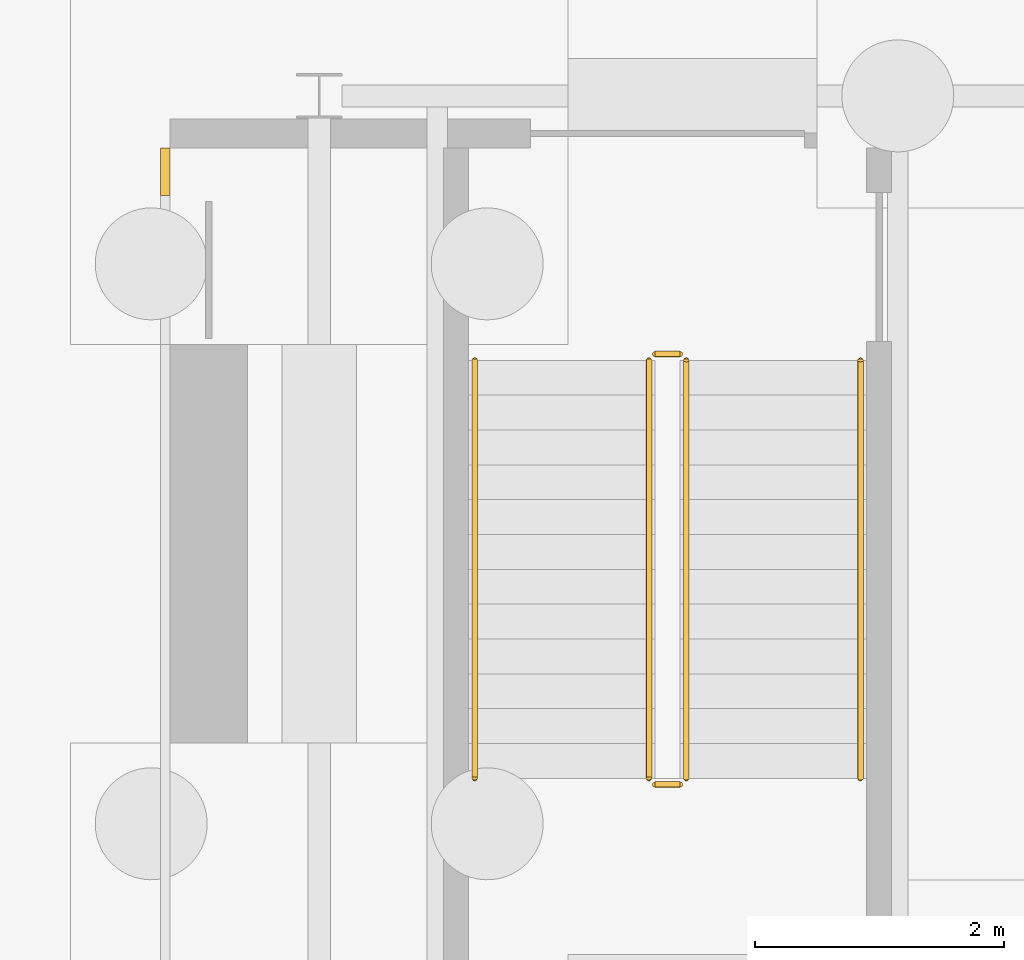
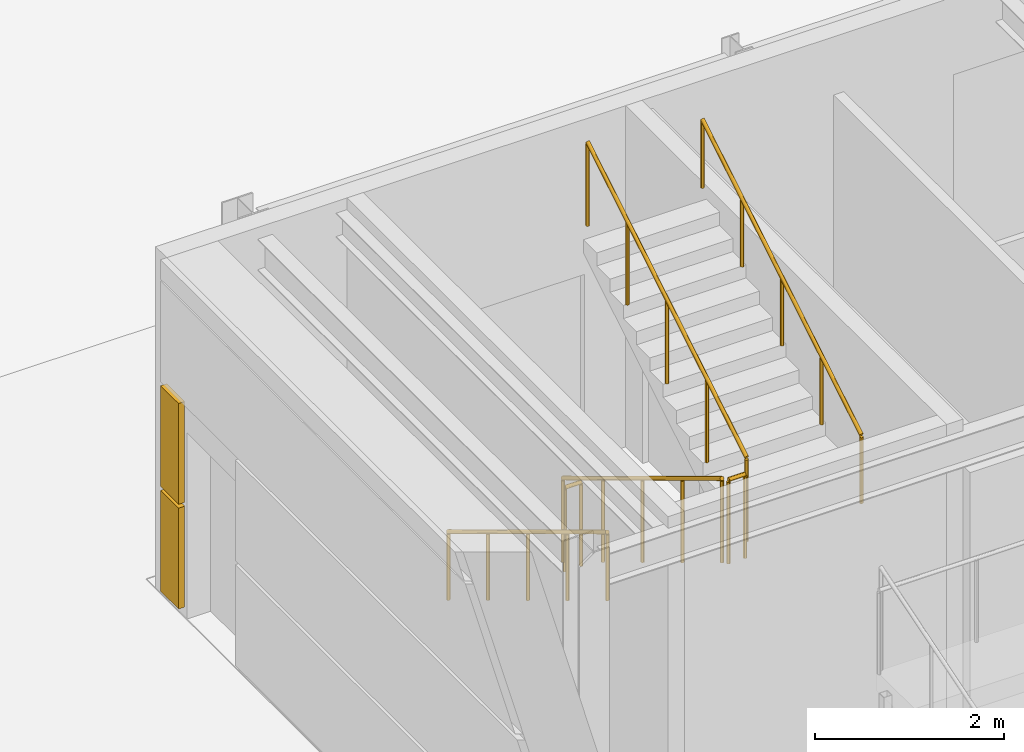
# One storey, part 131 of 139: 6 railings, 2 coverings.
"""IFC4 building model written with IfcOpenShell, lengths in metres."""

from ifc_helpers import new_model, si_unit, direction, frame, origin, origin_2d, place, context, subcontext, project, spatial, rectangle, circle, extrude, material, layer, layer_set, type_object, element, save


model = new_model("IFC4")

# Units and contexts
model_context = context("Model", 3, precision=1e-05, world=origin(), true_north=direction((0.0, 1.0)))
body_context = subcontext(model_context, "Body", "Model", "MODEL_VIEW")
ifc_project = project(units=[si_unit("LENGTHUNIT", "METRE"), si_unit("AREAUNIT", "SQUARE_METRE"), si_unit("VOLUMEUNIT", "CUBIC_METRE"), si_unit("PLANEANGLEUNIT", "RADIAN"), si_unit("MASSUNIT", "GRAM", prefix="KILO")], contexts=[model_context])

# Site, building, storey
site_placement = place(None, origin())
site = spatial("IfcSite", under=ifc_project, at=site_placement, CompositionType="ELEMENT")
building_placement = place(site_placement, origin())
building = spatial("IfcBuilding", under=site, at=building_placement, Name="Verrick Yard Athletic Hall", CompositionType="ELEMENT")
storey_placement = place(building_placement, origin())
storey = spatial("IfcBuildingStorey", under=building, at=storey_placement, Name="L00", CompositionType="ELEMENT", Elevation=0.0)

# Railings
ifc_material_1 = material(Name="Stainless steel", Category="steel")
railing_type_1 = type_object("IfcRailingType", Name="Stair and core guard 1100", PredefinedType="GUARDRAIL", material=ifc_material_1)
railing_1_placement = place(storey_placement, frame((124.25, 105.875, 0.169189453125)))
element("IfcRailing", 1, at=railing_1_placement, inside=storey, type_object=railing_type_1, Name="L00 Sports Hall A west band stair guard 1", PredefinedType="GUARDRAIL", context=body_context, shape_type="SweptSolid", body=[
    extrude(circle(Radius=0.02392578125, at=origin_2d()), frame((0.0, 0.0, 1.076171875), z_axis=(0.0, -0.855836976705, 0.517245656632), x_axis=(1.0, 0.0, 0.0)), (0.0, 0.0, 1.0), 3.926025390625),
    extrude(circle(Radius=0.02099609375, at=origin_2d()), origin(), (0.0, 0.0, 1.0), 1.052001953125),
    extrude(circle(Radius=0.02099609375, at=origin_2d()), frame((0.0, -0.840087890625, 0.5078125)), (0.0, 0.0, 1.0), 1.052001953125),
    extrude(circle(Radius=0.02099609375, at=origin_2d()), frame((0.0, -1.68017578125, 1.015380859375)), (0.0, 0.0, 1.0), 1.052001953125),
    extrude(circle(Radius=0.02099609375, at=origin_2d()), frame((0.0, -2.52001953125, 1.52294921875)), (0.0, 0.0, 1.0), 1.052001953125),
    extrude(circle(Radius=0.02099609375, at=origin_2d()), frame((0.0, -3.360107421875, 2.03076171875)), (0.0, 0.0, 1.0), 1.052001953125),
])
railing_2_placement = place(storey_placement, frame((124.300048828125, 102.465087890625, 2.199951171875)))
element("IfcRailing", 2, at=railing_2_placement, inside=storey, type_object=railing_type_1, Name="L00 Sports Hall A west band stair guard 2", PredefinedType="GUARDRAIL", context=body_context, shape_type="SweptSolid", body=[
    extrude(circle(Radius=0.02392578125, at=origin_2d()), frame((0.0, 0.0, 1.076171875), z_axis=(1.0, 0.0, 0.0), x_axis=(0.0, 1.0, 0.0)), (0.0, 0.0, 1.0), 0.199951171875),
    extrude(circle(Radius=0.02099609375, at=origin_2d()), origin(), (0.0, 0.0, 1.0), 1.052001953125),
    extrude(circle(Radius=0.02099609375, at=origin_2d()), frame((0.199951171875, 0.0, 0.0)), (0.0, 0.0, 1.0), 1.052001953125),
])
railing_3_placement = place(storey_placement, frame((124.550048828125, 102.514892578125, 2.369140625)))
element("IfcRailing", 3, at=railing_3_placement, inside=storey, type_object=railing_type_1, Name="L00 Sports Hall A west band stair guard 3", PredefinedType="GUARDRAIL", context=body_context, shape_type="SweptSolid", body=[
    extrude(circle(Radius=0.02392578125, at=origin_2d()), frame((0.0, 0.0, 1.076171875), z_axis=(0.0, 0.855836976705, 0.517245656632), x_axis=(-1.0, 0.0, 0.0)), (0.0, 0.0, 1.0), 3.926025390625),
    extrude(circle(Radius=0.02099609375, at=origin_2d()), origin(), (0.0, 0.0, 1.0), 1.052001953125),
    extrude(circle(Radius=0.02099609375, at=origin_2d()), frame((0.0, 0.840087890625, 0.5078125)), (0.0, 0.0, 1.0), 1.052001953125),
    extrude(circle(Radius=0.02099609375, at=origin_2d()), frame((0.0, 1.68017578125, 1.015380859375)), (0.0, 0.0, 1.0), 1.052001953125),
    extrude(circle(Radius=0.02099609375, at=origin_2d()), frame((0.0, 2.52001953125, 1.52294921875)), (0.0, 0.0, 1.0), 1.052001953125),
    extrude(circle(Radius=0.02099609375, at=origin_2d()), frame((0.0, 3.360107421875, 2.03076171875)), (0.0, 0.0, 1.0), 1.052001953125),
])
railing_4_placement = place(storey_placement, frame((124.300048828125, 105.925048828125, 0.0)))
element("IfcRailing", 4, at=railing_4_placement, inside=storey, type_object=railing_type_1, Name="L00 Sports Hall A west band stair guard 4", PredefinedType="GUARDRAIL", context=body_context, shape_type="SweptSolid", body=[
    extrude(circle(Radius=0.02392578125, at=origin_2d()), frame((0.0, 0.0, 1.076171875), z_axis=(1.0, 0.0, 0.0), x_axis=(0.0, 1.0, 0.0)), (0.0, 0.0, 1.0), 0.199951171875),
    extrude(circle(Radius=0.02099609375, at=origin_2d()), origin(), (0.0, 0.0, 1.0), 1.052001953125),
    extrude(circle(Radius=0.02099609375, at=origin_2d()), frame((0.199951171875, 0.0, 0.0)), (0.0, 0.0, 1.0), 1.052001953125),
])
railing_type_2 = type_object("IfcRailingType", Name="Stair handrail 900", PredefinedType="HANDRAIL", material=ifc_material_1)
railing_5_placement = place(storey_placement, frame((122.85009765625, 105.875, 0.169189453125)))
element("IfcRailing", 5, at=railing_5_placement, inside=storey, type_object=railing_type_2, Name="L00 Sports Hall A west band stair handrail 1", PredefinedType="HANDRAIL", context=body_context, shape_type="SweptSolid", body=[
    extrude(circle(Radius=0.02392578125, at=origin_2d()), frame((0.0, 0.0, 0.8759765625), z_axis=(0.0, -0.855836976705, 0.517245656632), x_axis=(1.0, 0.0, 0.0)), (0.0, 0.0, 1.0), 3.926025390625),
    extrude(circle(Radius=0.02099609375, at=origin_2d()), origin(), (0.0, 0.0, 1.0), 0.851806640625),
    extrude(circle(Radius=0.02099609375, at=origin_2d()), frame((0.0, -0.840087890625, 0.5078125)), (0.0, 0.0, 1.0), 0.851806640625),
    extrude(circle(Radius=0.02099609375, at=origin_2d()), frame((0.0, -1.68017578125, 1.015380859375)), (0.0, 0.0, 1.0), 0.851806640625),
    extrude(circle(Radius=0.02099609375, at=origin_2d()), frame((0.0, -2.52001953125, 1.52294921875)), (0.0, 0.0, 1.0), 0.851806640625),
    extrude(circle(Radius=0.02099609375, at=origin_2d()), frame((0.0, -3.360107421875, 2.03076171875)), (0.0, 0.0, 1.0), 0.851806640625),
])
railing_6_placement = place(storey_placement, frame((125.949951171875, 102.514892578125, 2.369140625)))
element("IfcRailing", 6, at=railing_6_placement, inside=storey, type_object=railing_type_2, Name="L00 Sports Hall A west band stair handrail 2", PredefinedType="HANDRAIL", context=body_context, shape_type="SweptSolid", body=[
    extrude(circle(Radius=0.02392578125, at=origin_2d()), frame((0.0, 0.0, 0.8759765625), z_axis=(0.0, 0.855836976705, 0.517245656632), x_axis=(-1.0, 0.0, 0.0)), (0.0, 0.0, 1.0), 3.926025390625),
    extrude(circle(Radius=0.02099609375, at=origin_2d()), origin(), (0.0, 0.0, 1.0), 0.851806640625),
    extrude(circle(Radius=0.02099609375, at=origin_2d()), frame((0.0, 0.840087890625, 0.5078125)), (0.0, 0.0, 1.0), 0.851806640625),
    extrude(circle(Radius=0.02099609375, at=origin_2d()), frame((0.0, 1.68017578125, 1.015380859375)), (0.0, 0.0, 1.0), 0.851806640625),
    extrude(circle(Radius=0.02099609375, at=origin_2d()), frame((0.0, 2.52001953125, 1.52294921875)), (0.0, 0.0, 1.0), 0.851806640625),
    extrude(circle(Radius=0.02099609375, at=origin_2d()), frame((0.0, 3.360107421875, 2.03076171875)), (0.0, 0.0, 1.0), 0.851806640625),
])

# Coverings
ifc_material_2 = material(Name="Tyndall-stone-look precast cladding", Category="masonry")
ifc_layer = layer(ifc_material_2, 0.125)
ifc_layer_set = layer_set([ifc_layer], Name="Stone cladding")
covering_type = type_object("IfcCoveringType", Name="Stone cladding", PredefinedType="CLADDING", material=ifc_layer_set)
for number, where, z_axis, x_axis, name in (
    (7, (120.362548828125, 107.391357421875, 0.125), (0.0, 0.0, 1.0), (0.0, 1.0, 0.0), "Hall base rustication"),
    (8, (120.362548828125, 107.391357421875, 1.47509765625), (0.0, 0.0, 1.0), (0.0, 1.0, 0.0), "Hall base rustication"),
):
    element("IfcCovering", number, at=place(storey_placement, frame(where, z_axis=z_axis, x_axis=x_axis)), inside=storey, type_object=covering_type, Name=name, PredefinedType="CLADDING", context=body_context, shape_type="SweptSolid", body=[
        extrude(rectangle(XDim=0.380859375, YDim=0.074951171875, at=origin_2d()), origin(), (0.0, 0.0, 1.0), 1.300048828125),
    ])

save(model, "model.ifc")
